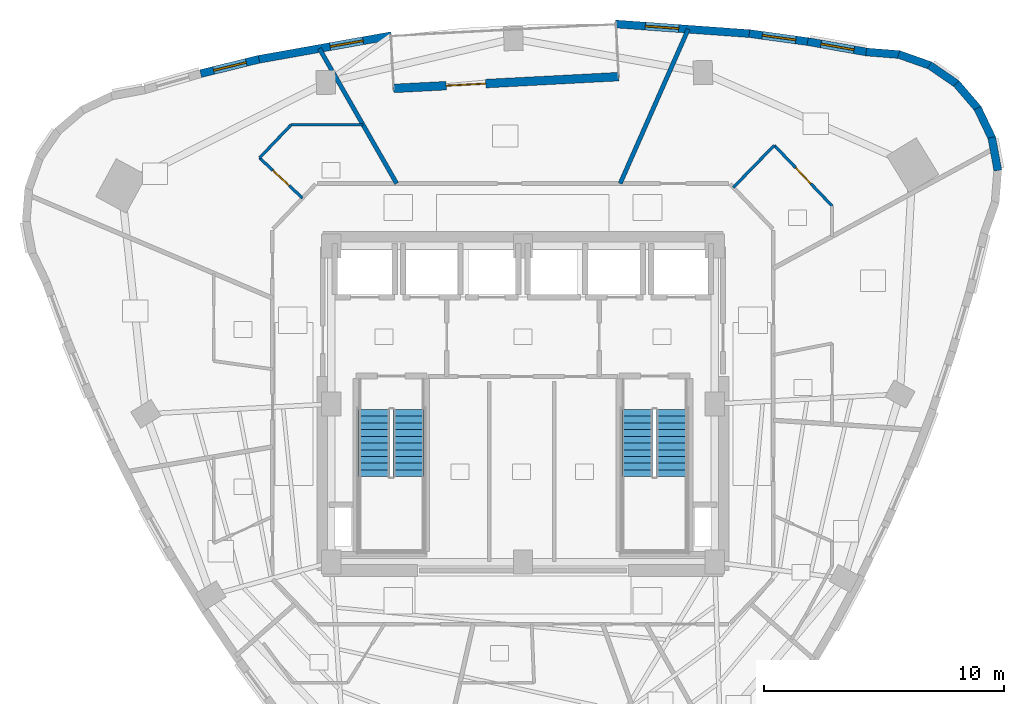
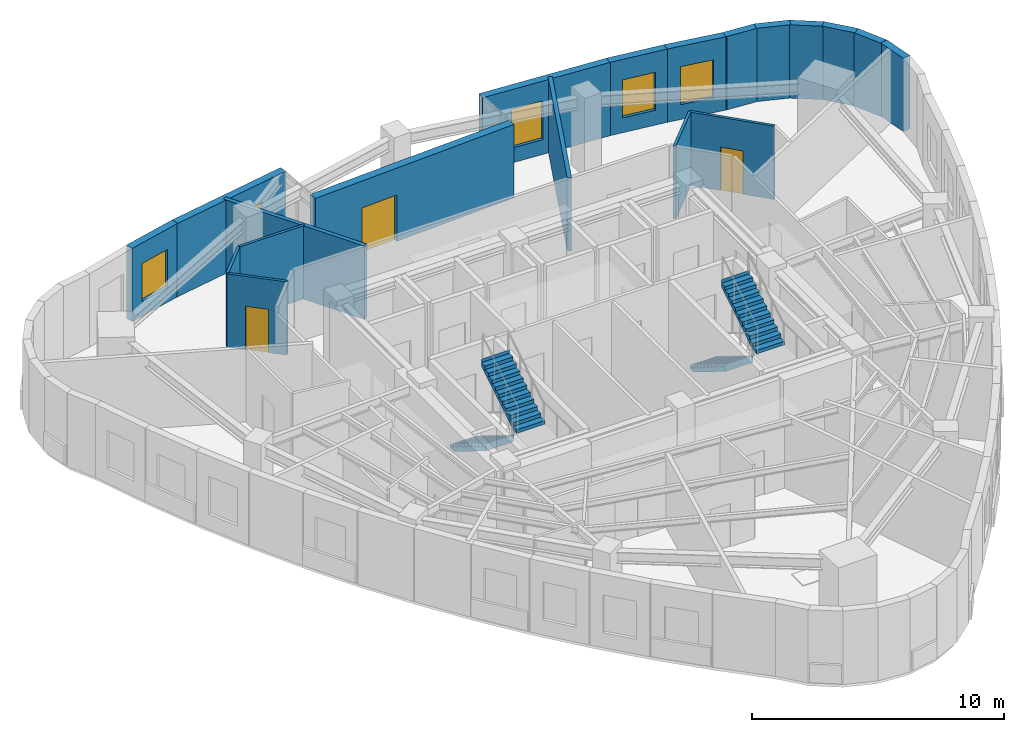
# One storey, part 8 of 11: 19 walls, 5 windows, 4 stair flights, 3 doors, 8 openings, 2 elements without a shape of their own.
"""IFC4 building model written with IfcOpenShell, lengths in metres."""

from ifc_helpers import new_model, si_unit, direction, frame, frame_2d, origin, place, context, subcontext, project, spatial, polyline, rectangle, outline, extrude, material, layer, layer_set, type_object, element, fill, aggregate, save


model = new_model("IFC4")

# Units and contexts
model_context = context("Model", 3, precision=1e-05, world=origin(), true_north=direction((0.0, 1.0)))
body_context = subcontext(model_context, "Body", "Model", "MODEL_VIEW")
ifc_project = project(units=[si_unit("LENGTHUNIT", "METRE"), si_unit("AREAUNIT", "SQUARE_METRE"), si_unit("VOLUMEUNIT", "CUBIC_METRE"), si_unit("PLANEANGLEUNIT", "RADIAN"), si_unit("MASSUNIT", "GRAM", prefix="KILO")], contexts=[model_context])

# Site, building, storey
site_placement = place(None, origin())
site = spatial("IfcSite", under=ifc_project, at=site_placement, CompositionType="ELEMENT")
building_placement = place(site_placement, origin())
building = spatial("IfcBuilding", under=site, at=building_placement, Name="Ndelora Gate Hotel", CompositionType="ELEMENT")
storey_placement = place(building_placement, frame((0.0, 0.0, 224.550048828125)))
storey = spatial("IfcBuildingStorey", under=building, at=storey_placement, Name="L56", CompositionType="ELEMENT", Elevation=224.550048828125)

# Walls
ifc_material_1 = material(Name="Acoustic Double-Stud Gypsum Assembly", Category="gypsum")
ifc_layer_1 = layer(ifc_material_1, 0.179931640625)
ifc_layer_set_1 = layer_set([ifc_layer_1], Name="Acoustic Double-Stud Gypsum Assembly")
wall_type_1 = type_object("IfcWallType", Name="WL-ACOUST-180", PredefinedType="PARTITIONING", material=ifc_layer_set_1)
wall_1_placement = place(storey_placement, frame((4.056884765625, 9.199951171875, 0.0), z_axis=(0.0, 0.0, 1.0), x_axis=(0.403480435419, 0.914988272184, 0.0)))
element("IfcWall", 1, at=wall_1_placement, inside=storey, type_object=wall_type_1, Name="L56 Interior Wall IW-3", PredefinedType="PARTITIONING", context=body_context, shape_type="SweptSolid", body=[
    extrude(rectangle(XDim=7.035400390625, YDim=0.179931640625, at=frame_2d((3.517578125, 0.0))), origin(), (0.0, 0.0, 1.0), 3.550048828125),
])
wall_2_placement = place(storey_placement, frame((-5.26806640625, 9.199951171875, 0.0), z_axis=(0.0, 0.0, 1.0), x_axis=(-0.496920769896, 0.867795914052, 0.0)))
element("IfcWall", 2, at=wall_2_placement, inside=storey, type_object=wall_type_1, Name="L56 Interior Wall IW-3", PredefinedType="PARTITIONING", context=body_context, shape_type="SweptSolid", body=[
    extrude(rectangle(XDim=6.48876953125, YDim=0.179931640625, at=frame_2d((3.244384765625, 0.0))), origin(), (0.0, 0.0, 1.0), 3.550048828125),
])
ifc_material_2 = material(Name="Clay Brick Masonry", Category="masonry")
ifc_layer_2 = layer(ifc_material_2, 0.330078125)
ifc_layer_set_2 = layer_set([ifc_layer_2], Name="Clay Brick Masonry")
wall_type_2 = type_object("IfcWallType", Name="WL-BRICK-330", PredefinedType="SOLIDWALL", material=ifc_layer_set_2)
for number, where, z_axis, x_axis, name in (
    (3, (19.5576171875, 11.12353515625, 0.0), (0.0, 0.0, 1.0), (0.182319094132, -0.983239415359, 0.0), "L56 Tower Brick Pier-and-Spandrel Wall TWR-43"),
    (4, (18.966796875, 12.3466796875, 0.0), (0.0, 0.0, 1.0), (0.430694266873, -0.902497893894, 0.0), "L56 Tower Brick Pier-and-Spandrel Wall TWR-44"),
    (5, (18.079833984375, 13.37548828125, 0.0), (0.0, 0.0, 1.0), (0.64941898982, -0.760430782952, 0.0), "L56 Tower Brick Pier-and-Spandrel Wall TWR-45"),
    (6, (16.956787109375, 14.1396484375, 0.0), (0.0, 0.0, 1.0), (0.824067227947, -0.566492015675, 0.0), "L56 Tower Brick Pier-and-Spandrel Wall TWR-46"),
):
    element("IfcWall", number, at=place(storey_placement, frame(where, z_axis=z_axis, x_axis=x_axis)), inside=storey, type_object=wall_type_2, Name=name, PredefinedType="SOLIDWALL", context=body_context, shape_type="SweptSolid", body=[
        extrude(rectangle(XDim=1.407470703125, YDim=0.330078125, at=frame_2d((0.70361328125, 0.0))), origin(), (0.0, 0.0, 1.0), 3.550048828125),
    ])
wall_3_placement = place(storey_placement, frame((15.674072265625, 14.5869140625, 0.0), z_axis=(0.0, 0.0, 1.0), x_axis=(0.942676111555, -0.333709077945, 0.0)))
element("IfcWall", 7, at=wall_3_placement, inside=storey, type_object=wall_type_2, Name="L56 Tower Brick Pier-and-Spandrel Wall TWR-47", PredefinedType="SOLIDWALL", context=body_context, shape_type="SweptSolid", body=[
    extrude(rectangle(XDim=1.40771484375, YDim=0.330078125, at=frame_2d((0.703857421875, 0.0))), origin(), (0.0, 0.0, 1.0), 3.550048828125),
])
wall_4_placement = place(storey_placement, frame((14.319580078125, 14.68701171875, 0.0), z_axis=(0.0, 0.0, 1.0), x_axis=(0.996907811278, -0.07857999626, 0.0)))
element("IfcWall", 8, at=wall_4_placement, inside=storey, type_object=wall_type_2, Name="L56 Tower Brick Pier-and-Spandrel Wall TWR-48", PredefinedType="SOLIDWALL", context=body_context, shape_type="SweptSolid", body=[
    extrude(rectangle(XDim=1.407470703125, YDim=0.330078125, at=frame_2d((0.70361328125, 0.0))), origin(), (0.0, 0.0, 1.0), 3.550048828125),
])

# Wall, opening, window
wall_5_placement = place(storey_placement, frame((11.87890625, 15.12158203125, 0.0), z_axis=(0.0, 0.0, 1.0), x_axis=(0.984681334456, -0.174363613102, 0.0)))
wall_5 = element("IfcWall", 9, at=wall_5_placement, inside=storey, type_object=wall_type_2, Name="L56 Tower Brick Pier-and-Spandrel Wall TWR-49", PredefinedType="SOLIDWALL", context=body_context, shape_type="SweptSolid", body=[
    extrude(rectangle(XDim=2.52880859375, YDim=0.330078125, at=frame_2d((1.264404296875, 0.0))), origin(), (0.0, 0.0, 1.0), 3.550048828125),
])
opening_1_placement = place(wall_5_placement, frame((0.564453125, 0.0, 0.719970703125)))
opening_1 = element("IfcOpeningElement", 10, at=opening_1_placement, cuts=wall_5, Name="Opening W02", PredefinedType="OPENING", context=body_context, shape_type="SweptSolid", body=[
    extrude(rectangle(XDim=1.39990234375, YDim=1.840087890625, at=frame_2d((0.699951171875, 0.919921875))), frame((0.0, 0.175048828125, 0.0), z_axis=(0.0, -1.0, 0.0), x_axis=(1.0, 0.0, 0.0)), (0.0, 0.0, 1.0), 0.35009765625),
])
ifc_material_3 = material(Name="Insulated Low-E Double Glazing in Bronze Aluminium Frame", Category="aluminium")
window_type = type_object("IfcWindowType", Name="WN-DEEP-1400", PartitioningType="SINGLE_PANEL", PredefinedType="WINDOW", material=ifc_material_3)
window_1_placement = place(opening_1_placement, origin())
window_1 = element("IfcWindow", 11, at=window_1_placement, inside=storey, type_object=window_type, Name="L56 Deep-Set Brick-Pier Window W02", OverallHeight=1.840087890625, OverallWidth=1.39990234375, PartitioningType="SINGLE_PANEL", PredefinedType="WINDOW", context=body_context, shape_type="SweptSolid", body=[
    extrude(rectangle(XDim=1.39990234375, YDim=1.840087890625, at=frame_2d((0.699951171875, 0.919921875))), frame((0.0, 0.030029296875, 0.0), z_axis=(0.0, -1.0, 0.0), x_axis=(1.0, 0.0, 0.0)), (0.0, 0.0, 1.0), 0.06005859375),
])
fill(opening_1, window_1)

wall_6_placement = place(storey_placement, frame((9.44287109375, 15.455810546875, 0.0), z_axis=(0.0, 0.0, 1.0), x_axis=(0.990662417066, -0.136337725571, 0.0)))
wall_6 = element("IfcWall", 12, at=wall_6_placement, inside=storey, type_object=wall_type_2, Name="L56 Tower Brick Pier-and-Spandrel Wall TWR-50", PredefinedType="SOLIDWALL", context=body_context, shape_type="SweptSolid", body=[
    extrude(rectangle(XDim=2.5087890625, YDim=0.330078125, at=frame_2d((1.25439453125, 0.0))), origin(), (0.0, 0.0, 1.0), 3.550048828125),
])
opening_2_placement = place(wall_6_placement, frame((0.554443359375, 0.0, 0.719970703125)))
opening_2 = element("IfcOpeningElement", 13, at=opening_2_placement, cuts=wall_6, Name="Opening W02", PredefinedType="OPENING", context=body_context, shape_type="SweptSolid", body=[
    extrude(rectangle(XDim=1.39990234375, YDim=1.840087890625, at=frame_2d((0.699951171875, 0.919921875))), frame((0.0, 0.175048828125, 0.0), z_axis=(0.0, -1.0, 0.0), x_axis=(1.0, 0.0, 0.0)), (0.0, 0.0, 1.0), 0.35009765625),
])
window_2_placement = place(opening_2_placement, origin())
window_2 = element("IfcWindow", 14, at=window_2_placement, inside=storey, type_object=window_type, Name="L56 Deep-Set Brick-Pier Window W02", OverallHeight=1.840087890625, OverallWidth=1.39990234375, PartitioningType="SINGLE_PANEL", PredefinedType="WINDOW", context=body_context, shape_type="SweptSolid", body=[
    extrude(rectangle(XDim=1.39990234375, YDim=1.840087890625, at=frame_2d((0.699951171875, 0.919921875))), frame((0.0, 0.030029296875, 0.0), z_axis=(0.0, -1.0, 0.0), x_axis=(1.0, 0.0, 0.0)), (0.0, 0.0, 1.0), 0.06005859375),
])
fill(opening_2, window_2)

wall_7_placement = place(storey_placement, frame((3.8505859375, 15.856201171875, 0.0), z_axis=(0.0, 0.0, 1.0), x_axis=(0.997423966596, -0.071731658697, 0.0)))
wall_7 = element("IfcWall", 15, at=wall_7_placement, inside=storey, type_object=wall_type_2, Name="L56 Tower Brick Pier-and-Spandrel Wall TWR-51", PredefinedType="SOLIDWALL", context=body_context, shape_type="SweptSolid", body=[
    extrude(rectangle(XDim=5.65673828125, YDim=0.330078125, at=frame_2d((2.828369140625, 0.0))), origin(), (0.0, 0.0, 1.0), 3.550048828125),
])
opening_3_placement = place(wall_7_placement, frame((1.260009765625, 0.0, 0.719970703125)))
opening_3 = element("IfcOpeningElement", 16, at=opening_3_placement, cuts=wall_7, Name="Opening W02", PredefinedType="OPENING", context=body_context, shape_type="SweptSolid", body=[
    extrude(rectangle(XDim=1.39990234375, YDim=1.8798828125, at=frame_2d((0.699951171875, 0.93994140625))), frame((0.0, 0.175048828125, 0.0), z_axis=(0.0, -1.0, 0.0), x_axis=(1.0, 0.0, 0.0)), (0.0, 0.0, 1.0), 0.35009765625),
])
window_3_placement = place(opening_3_placement, origin())
window_3 = element("IfcWindow", 17, at=window_3_placement, inside=storey, type_object=window_type, Name="L56 Deep-Set Brick-Pier Window W02", OverallHeight=1.8798828125, OverallWidth=1.39990234375, PartitioningType="SINGLE_PANEL", PredefinedType="WINDOW", context=body_context, shape_type="SweptSolid", body=[
    extrude(rectangle(XDim=1.39990234375, YDim=1.8798828125, at=frame_2d((0.699951171875, 0.93994140625))), frame((0.0, 0.030029296875, 0.0), z_axis=(0.0, -1.0, 0.0), x_axis=(1.0, 0.0, 0.0)), (0.0, 0.0, 1.0), 0.06005859375),
])
fill(opening_3, window_3)

wall_8_placement = place(storey_placement, frame((-11.0556640625, 14.37353515625, 0.0), z_axis=(0.0, 0.0, 1.0), x_axis=(0.984457704332, 0.17562183344, 0.0)))
wall_8 = element("IfcWall", 18, at=wall_8_placement, inside=storey, type_object=wall_type_2, Name="L56 Tower Brick Pier-and-Spandrel Wall TWR-56", PredefinedType="SOLIDWALL", context=body_context, shape_type="SweptSolid", body=[
    extrude(rectangle(XDim=5.656494140625, YDim=0.330078125, at=frame_2d((2.828125, 0.0))), origin(), (0.0, 0.0, 1.0), 3.550048828125),
])
opening_4_placement = place(wall_8_placement, frame((3.06005859375, 0.0, 0.719970703125)))
opening_4 = element("IfcOpeningElement", 19, at=opening_4_placement, cuts=wall_8, Name="Opening W02", PredefinedType="OPENING", context=body_context, shape_type="SweptSolid", body=[
    extrude(rectangle(XDim=1.39990234375, YDim=1.8798828125, at=frame_2d((0.699951171875, 0.93994140625))), frame((0.0, 0.175048828125, 0.0), z_axis=(0.0, -1.0, 0.0), x_axis=(1.0, 0.0, 0.0)), (0.0, 0.0, 1.0), 0.35009765625),
])
window_4_placement = place(opening_4_placement, origin())
window_4 = element("IfcWindow", 20, at=window_4_placement, inside=storey, type_object=window_type, Name="L56 Deep-Set Brick-Pier Window W02", OverallHeight=1.8798828125, OverallWidth=1.39990234375, PartitioningType="SINGLE_PANEL", PredefinedType="WINDOW", context=body_context, shape_type="SweptSolid", body=[
    extrude(rectangle(XDim=1.39990234375, YDim=1.8798828125, at=frame_2d((0.699951171875, 0.93994140625))), frame((0.0, 0.030029296875, 0.0), z_axis=(0.0, -1.0, 0.0), x_axis=(1.0, 0.0, 0.0)), (0.0, 0.0, 1.0), 0.06005859375),
])
fill(opening_4, window_4)

wall_9_placement = place(storey_placement, frame((-13.44287109375, 13.7841796875, 0.0), z_axis=(0.0, 0.0, 1.0), x_axis=(0.970995069754, 0.239099507555, 0.0)))
wall_9 = element("IfcWall", 21, at=wall_9_placement, inside=storey, type_object=wall_type_2, Name="L56 Tower Brick Pier-and-Spandrel Wall TWR-57", PredefinedType="SOLIDWALL", context=body_context, shape_type="SweptSolid", body=[
    extrude(rectangle(XDim=2.5087890625, YDim=0.330078125, at=frame_2d((1.25439453125, 0.0))), origin(), (0.0, 0.0, 1.0), 3.550048828125),
])
opening_5_placement = place(wall_9_placement, frame((0.554443359375, 0.0, 0.719970703125)))
opening_5 = element("IfcOpeningElement", 22, at=opening_5_placement, cuts=wall_9, Name="Opening W02", PredefinedType="OPENING", context=body_context, shape_type="SweptSolid", body=[
    extrude(rectangle(XDim=1.39990234375, YDim=1.840087890625, at=frame_2d((0.699951171875, 0.919921875))), frame((0.0, 0.175048828125, 0.0), z_axis=(0.0, -1.0, 0.0), x_axis=(1.0, 0.0, 0.0)), (0.0, 0.0, 1.0), 0.35009765625),
])
window_5_placement = place(opening_5_placement, origin())
window_5 = element("IfcWindow", 23, at=window_5_placement, inside=storey, type_object=window_type, Name="L56 Deep-Set Brick-Pier Window W02", OverallHeight=1.840087890625, OverallWidth=1.39990234375, PartitioningType="SINGLE_PANEL", PredefinedType="WINDOW", context=body_context, shape_type="SweptSolid", body=[
    extrude(rectangle(XDim=1.39990234375, YDim=1.840087890625, at=frame_2d((0.699951171875, 0.919921875))), frame((0.0, 0.030029296875, 0.0), z_axis=(0.0, -1.0, 0.0), x_axis=(1.0, 0.0, 0.0)), (0.0, 0.0, 1.0), 0.06005859375),
])
fill(opening_5, window_5)

# Wall, opening, door
ifc_layer_3 = layer(ifc_material_2, 0.360107421875)
ifc_layer_set_3 = layer_set([ifc_layer_3], Name="Clay Brick Masonry")
wall_type_3 = type_object("IfcWallType", Name="WL-BRICK-360", PredefinedType="SOLIDWALL", material=ifc_layer_set_3)
wall_10_placement = place(storey_placement, frame((-5.396484375, 13.16552734375, 0.0), z_axis=(0.0, 0.0, 1.0), x_axis=(0.998629642142, 0.052333907124, 0.0)))
wall_10 = element("IfcWall", 24, at=wall_10_placement, inside=storey, type_object=wall_type_3, Name="L56 Sky-Garden Loggia Rear Brick Wall", PredefinedType="SOLIDWALL", context=body_context, shape_type="SweptSolid", body=[
    extrude(rectangle(XDim=9.400146484375, YDim=0.360107421875, at=frame_2d((4.7001953125, 0.0))), origin(), (0.0, 0.0, 1.0), 3.550048828125),
])
opening_6_placement = place(wall_10_placement, frame((2.199951171875, 0.0, 0.0)))
opening_6 = element("IfcOpeningElement", 25, at=opening_6_placement, cuts=wall_10, Name="Opening TD1", PredefinedType="OPENING", context=body_context, shape_type="SweptSolid", body=[
    extrude(rectangle(XDim=1.64990234375, YDim=2.25, at=frame_2d((0.824951171875, 1.125))), frame((0.0, 0.18994140625, 0.0), z_axis=(0.0, -1.0, 0.0), x_axis=(1.0, 0.0, 0.0)), (0.0, 0.0, 1.0), 0.380126953125),
])
ifc_material_4 = material(Name="Architectural Bronze Glazed Door", Category="metal")
door_type_1 = type_object("IfcDoorType", Name="DR-TER-1650", OperationType="DOUBLE_DOOR_SINGLE_SWING", PredefinedType="DOOR", material=ifc_material_4)
door_1_placement = place(opening_6_placement, origin())
door_1 = element("IfcDoor", 26, at=door_1_placement, inside=storey, type_object=door_type_1, Name="L56 Sky-Garden Terrace Double Door TD1", OperationType="DOUBLE_DOOR_SINGLE_SWING", OverallHeight=2.25, OverallWidth=1.64990234375, PredefinedType="DOOR", context=body_context, shape_type="SweptSolid", body=[
    extrude(rectangle(XDim=1.64990234375, YDim=2.25, at=frame_2d((0.824951171875, 1.125))), frame((0.0, 0.02490234375, 0.0), z_axis=(0.0, -1.0, 0.0), x_axis=(1.0, 0.0, 0.0)), (0.0, 0.0, 1.0), 0.050048828125),
])
fill(opening_6, door_1)

# Wall
ifc_material_5 = material(Name="Moisture-Resistant Bathroom Tile Partition", Category="gypsum")
ifc_layer_4 = layer(ifc_material_5, 0.1201171875)
ifc_layer_set_4 = layer_set([ifc_layer_4], Name="Moisture-Resistant Bathroom Tile Partition")
wall_type_4 = type_object("IfcWallType", Name="WL-WET-120", PredefinedType="PARTITIONING", material=ifc_layer_set_4)
wall_11_placement = place(storey_placement, frame((10.486572265625, 10.79248046875, 0.0), z_axis=(0.0, 0.0, 1.0), x_axis=(-0.696876436114, -0.717191210759, 0.0)))
element("IfcWall", 27, at=wall_11_placement, inside=storey, type_object=wall_type_4, Name="L56 Interior Wall IW-7", PredefinedType="PARTITIONING", context=body_context, shape_type="SweptSolid", body=[
    extrude(rectangle(XDim=2.45166015625, YDim=0.1201171875, at=frame_2d((1.225830078125, 0.0))), origin(), (0.0, 0.0, 1.0), 3.550048828125),
])

# Wall, opening, door
wall_12_placement = place(storey_placement, frame((10.486572265625, 10.79248046875, 0.0), z_axis=(0.0, 0.0, 1.0), x_axis=(0.689942688038, -0.723863997739, 0.0)))
wall_12 = element("IfcWall", 28, at=wall_12_placement, inside=storey, type_object=wall_type_4, Name="L56 Interior Wall IW-7", PredefinedType="PARTITIONING", context=body_context, shape_type="SweptSolid", body=[
    extrude(rectangle(XDim=3.497802734375, YDim=0.1201171875, at=frame_2d((1.7490234375, 0.0))), origin(), (0.0, 0.0, 1.0), 3.550048828125),
])
opening_7_placement = place(wall_12_placement, frame((1.2890625, 0.0, 0.0)))
opening_7 = element("IfcOpeningElement", 29, at=opening_7_placement, cuts=wall_12, Name="Opening D03", PredefinedType="OPENING", context=body_context, shape_type="SweptSolid", body=[
    extrude(rectangle(XDim=0.919921875, YDim=2.10009765625, at=frame_2d((0.4599609375, 1.050048828125))), frame((0.0, 0.070068359375, 0.0), z_axis=(0.0, -1.0, 0.0), x_axis=(1.0, 0.0, 0.0)), (0.0, 0.0, 1.0), 0.14013671875),
])
ifc_material_6 = material(Name="Moisture-Resistant Hardwood En-Suite Door", Category="wood")
door_type_2 = type_object("IfcDoorType", Name="DR-BATH-920", OperationType="SINGLE_SWING_LEFT", PredefinedType="DOOR", material=ifc_material_6)
door_2_placement = place(opening_7_placement, origin())
door_2 = element("IfcDoor", 30, at=door_2_placement, inside=storey, type_object=door_type_2, Name="L56 En-suite Bathroom 5903 Door", OperationType="SINGLE_SWING_RIGHT", OverallHeight=2.10009765625, OverallWidth=0.919921875, PredefinedType="DOOR", context=body_context, shape_type="SweptSolid", body=[
    extrude(rectangle(XDim=0.919921875, YDim=2.10009765625, at=frame_2d((0.4599609375, 1.050048828125))), frame((0.0, 0.02490234375, 0.0), z_axis=(0.0, -1.0, 0.0), x_axis=(1.0, 0.0, 0.0)), (0.0, 0.0, 1.0), 0.050048828125),
])
fill(opening_7, door_2)

wall_13_placement = place(storey_placement, frame((-9.197998046875, 8.593505859375, 0.0), z_axis=(0.0, 0.0, 1.0), x_axis=(-0.730664159642, 0.682737054666, 0.0)))
wall_13 = element("IfcWall", 31, at=wall_13_placement, inside=storey, type_object=wall_type_4, Name="L56 Interior Wall IW-7", PredefinedType="PARTITIONING", context=body_context, shape_type="SweptSolid", body=[
    extrude(rectangle(XDim=2.4501953125, YDim=0.1201171875, at=frame_2d((1.22509765625, 0.0))), origin(), (0.0, 0.0, 1.0), 3.550048828125),
])
opening_8_placement = place(wall_13_placement, frame((0.76513671875, 0.0, 0.0)))
opening_8 = element("IfcOpeningElement", 32, at=opening_8_placement, cuts=wall_13, Name="Opening D03", PredefinedType="OPENING", context=body_context, shape_type="SweptSolid", body=[
    extrude(rectangle(XDim=0.919921875, YDim=2.10009765625, at=frame_2d((0.4599609375, 1.050048828125))), frame((0.0, 0.070068359375, 0.0), z_axis=(0.0, -1.0, 0.0), x_axis=(1.0, 0.0, 0.0)), (0.0, 0.0, 1.0), 0.14013671875),
])
door_3_placement = place(opening_8_placement, origin())
door_3 = element("IfcDoor", 33, at=door_3_placement, inside=storey, type_object=door_type_2, Name="L56 En-suite Bathroom 5904 Door", OperationType="SINGLE_SWING_LEFT", OverallHeight=2.10009765625, OverallWidth=0.919921875, PredefinedType="DOOR", context=body_context, shape_type="SweptSolid", body=[
    extrude(rectangle(XDim=0.919921875, YDim=2.10009765625, at=frame_2d((0.4599609375, 1.050048828125))), frame((0.0, 0.02490234375, 0.0), z_axis=(0.0, -1.0, 0.0), x_axis=(1.0, 0.0, 0.0)), (0.0, 0.0, 1.0), 0.050048828125),
])
fill(opening_8, door_3)

# Walls
wall_14_placement = place(storey_placement, frame((-10.98828125, 10.266357421875, 0.0), z_axis=(0.0, 0.0, 1.0), x_axis=(0.689980418995, 0.723828033033, 0.0)))
element("IfcWall", 34, at=wall_14_placement, inside=storey, type_object=wall_type_4, Name="L56 Interior Wall IW-7", PredefinedType="PARTITIONING", context=body_context, shape_type="SweptSolid", body=[
    extrude(rectangle(XDim=1.911376953125, YDim=0.1201171875, at=frame_2d((0.95556640625, 0.0))), origin(), (0.0, 0.0, 1.0), 3.550048828125),
])
wall_15_placement = place(storey_placement, frame((-6.6708984375, 11.64990234375, 0.0), z_axis=(0.0, 0.0, 1.0), x_axis=(-1.0, 0.0, 0.0)))
element("IfcWall", 35, at=wall_15_placement, inside=storey, type_object=wall_type_4, Name="L56 Interior Wall IW-7", PredefinedType="PARTITIONING", context=body_context, shape_type="SweptSolid", body=[
    extrude(rectangle(XDim=2.99853515625, YDim=0.1201171875, at=frame_2d((1.499267578125, 0.0))), origin(), (0.0, 0.0, 1.0), 3.550048828125),
])

# Stair, stair flights
ifc_material_7 = material(Name="Precast concrete C40/50", Category="concrete")
stair_type = type_object("IfcStairType", Name="STR-DOG-CORE", PredefinedType="HALF_TURN_STAIR", material=ifc_material_7)
stair_1_placement = place(storey_placement, origin())
stair_1 = element("IfcStair", 36, at=stair_1_placement, inside=storey, type_object=stair_type, Name="L56 Protected Core Exit Stair ST4", PredefinedType="HALF_TURN_STAIR")
stair_flight_type = type_object("IfcStairFlightType", Name="STF-PRECAST", PredefinedType="STRAIGHT", material=ifc_material_7)
stair_flight_1_placement = place(storey_placement, frame((-6.2099609375, -0.22998046875, 0.0), z_axis=(0.0, 0.0, 1.0), x_axis=(0.0, -1.0, 0.0)))
stair_flight_1 = element("IfcStairFlight", 37, at=stair_flight_1_placement, type_object=stair_flight_type, Name="ST4 flight 1", NumberOfRisers=11, NumberOfTreads=10, PredefinedType="STRAIGHT", RiserHeight=0.172727273, TreadLength=0.28, context=body_context, shape_type="SweptSolid", body=[
    extrude(outline(polyline([(-0.00048828125, 0.0), (-0.00048828125, 0.172607421875), (0.0, 0.172607421875), (0.280029296875, 0.172607421875), (0.280029296875, 0.345458984375), (0.56005859375, 0.345458984375), (0.56005859375, 0.51806640625), (0.840087890625, 0.51806640625), (0.840087890625, 0.69091796875), (1.1201171875, 0.69091796875), (1.1201171875, 0.863525390625), (1.39990234375, 0.863525390625), (1.39990234375, 1.036376953125), (1.679931640625, 1.036376953125), (1.679931640625, 1.208984375), (1.9599609375, 1.208984375), (1.9599609375, 1.3818359375), (2.239990234375, 1.3818359375), (2.239990234375, 1.554443359375), (2.52001953125, 1.554443359375), (2.52001953125, 1.727294921875), (2.800048828125, 1.727294921875), (2.800048828125, 1.89990234375), (2.800537109375, 1.89990234375), (2.800537109375, 1.719970703125), (2.800048828125, 1.551025390625), (0.285400390625, 0.0), (-0.00048828125, 0.0)])), frame((0.0, 0.64013671875, 0.0), z_axis=(0.0, -1.0, 0.0), x_axis=(1.0, 0.0, 0.0)), (0.0, 0.0, 1.0), 1.280029296875),
])
stair_flight_2_placement = place(storey_placement, frame((-4.77001953125, -3.030029296875, 1.89990234375), z_axis=(0.0, 0.0, 1.0), x_axis=(0.0, 1.0, 0.0)))
stair_flight_2 = element("IfcStairFlight", 38, at=stair_flight_2_placement, type_object=stair_flight_type, Name="ST4 flight 2", NumberOfRisers=11, NumberOfTreads=10, PredefinedType="STRAIGHT", RiserHeight=0.172727273, TreadLength=0.28, context=body_context, shape_type="SweptSolid", body=[
    extrude(outline(polyline([(-0.00048828125, 0.0), (-0.00048828125, 0.172607421875), (0.0, 0.172607421875), (0.280029296875, 0.172607421875), (0.280029296875, 0.345458984375), (0.56005859375, 0.345458984375), (0.56005859375, 0.51806640625), (0.840087890625, 0.51806640625), (0.840087890625, 0.69091796875), (1.1201171875, 0.69091796875), (1.1201171875, 0.863525390625), (1.39990234375, 0.863525390625), (1.39990234375, 1.036376953125), (1.679931640625, 1.036376953125), (1.679931640625, 1.208984375), (1.9599609375, 1.208984375), (1.9599609375, 1.3818359375), (2.239990234375, 1.3818359375), (2.239990234375, 1.554443359375), (2.52001953125, 1.554443359375), (2.52001953125, 1.727294921875), (2.800048828125, 1.727294921875), (2.800048828125, 1.89990234375), (2.800537109375, 1.89990234375), (2.800537109375, 1.719970703125), (2.800048828125, 1.551025390625), (0.285400390625, 0.0), (-0.00048828125, 0.0)])), frame((0.0, 0.64013671875, 0.0), z_axis=(0.0, -1.0, 0.0), x_axis=(1.0, 0.0, 0.0)), (0.0, 0.0, 1.0), 1.280029296875),
])
aggregate(stair_1, [stair_flight_1, stair_flight_2])

stair_2_placement = place(storey_placement, origin())
stair_2 = element("IfcStair", 39, at=stair_2_placement, inside=storey, type_object=stair_type, Name="L56 Protected Core Exit Stair ST5", PredefinedType="HALF_TURN_STAIR")
stair_flight_3_placement = place(storey_placement, frame((4.77001953125, -0.22998046875, 0.0), z_axis=(0.0, 0.0, 1.0), x_axis=(0.0, -1.0, 0.0)))
stair_flight_3 = element("IfcStairFlight", 40, at=stair_flight_3_placement, type_object=stair_flight_type, Name="ST5 flight 1", NumberOfRisers=11, NumberOfTreads=10, PredefinedType="STRAIGHT", RiserHeight=0.172727273, TreadLength=0.28, context=body_context, shape_type="SweptSolid", body=[
    extrude(outline(polyline([(-0.00048828125, 0.0), (-0.00048828125, 0.172607421875), (0.0, 0.172607421875), (0.280029296875, 0.172607421875), (0.280029296875, 0.345458984375), (0.56005859375, 0.345458984375), (0.56005859375, 0.51806640625), (0.840087890625, 0.51806640625), (0.840087890625, 0.69091796875), (1.1201171875, 0.69091796875), (1.1201171875, 0.863525390625), (1.39990234375, 0.863525390625), (1.39990234375, 1.036376953125), (1.679931640625, 1.036376953125), (1.679931640625, 1.208984375), (1.9599609375, 1.208984375), (1.9599609375, 1.3818359375), (2.239990234375, 1.3818359375), (2.239990234375, 1.554443359375), (2.52001953125, 1.554443359375), (2.52001953125, 1.727294921875), (2.800048828125, 1.727294921875), (2.800048828125, 1.89990234375), (2.800537109375, 1.89990234375), (2.800537109375, 1.719970703125), (2.800048828125, 1.551025390625), (0.285400390625, 0.0), (-0.00048828125, 0.0)])), frame((0.0, 0.64013671875, 0.0), z_axis=(0.0, -1.0, 0.0), x_axis=(1.0, 0.0, 0.0)), (0.0, 0.0, 1.0), 1.280029296875),
])
stair_flight_4_placement = place(storey_placement, frame((6.2099609375, -3.030029296875, 1.89990234375), z_axis=(0.0, 0.0, 1.0), x_axis=(0.0, 1.0, 0.0)))
stair_flight_4 = element("IfcStairFlight", 41, at=stair_flight_4_placement, type_object=stair_flight_type, Name="ST5 flight 2", NumberOfRisers=11, NumberOfTreads=10, PredefinedType="STRAIGHT", RiserHeight=0.172727273, TreadLength=0.28, context=body_context, shape_type="SweptSolid", body=[
    extrude(outline(polyline([(-0.00048828125, 0.0), (-0.00048828125, 0.172607421875), (0.0, 0.172607421875), (0.280029296875, 0.172607421875), (0.280029296875, 0.345458984375), (0.56005859375, 0.345458984375), (0.56005859375, 0.51806640625), (0.840087890625, 0.51806640625), (0.840087890625, 0.69091796875), (1.1201171875, 0.69091796875), (1.1201171875, 0.863525390625), (1.39990234375, 0.863525390625), (1.39990234375, 1.036376953125), (1.679931640625, 1.036376953125), (1.679931640625, 1.208984375), (1.9599609375, 1.208984375), (1.9599609375, 1.3818359375), (2.239990234375, 1.3818359375), (2.239990234375, 1.554443359375), (2.52001953125, 1.554443359375), (2.52001953125, 1.727294921875), (2.800048828125, 1.727294921875), (2.800048828125, 1.89990234375), (2.800537109375, 1.89990234375), (2.800537109375, 1.719970703125), (2.800048828125, 1.551025390625), (0.285400390625, 0.0), (-0.00048828125, 0.0)])), frame((0.0, 0.64013671875, 0.0), z_axis=(0.0, -1.0, 0.0), x_axis=(1.0, 0.0, 0.0)), (0.0, 0.0, 1.0), 1.280029296875),
])
aggregate(stair_2, [stair_flight_3, stair_flight_4])

save(model, "model.ifc")
